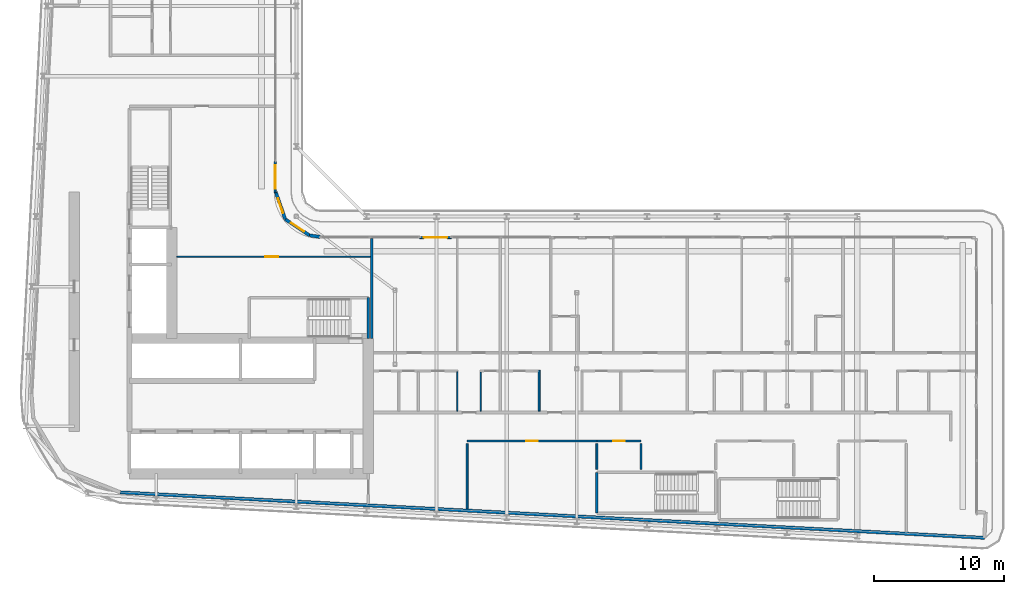
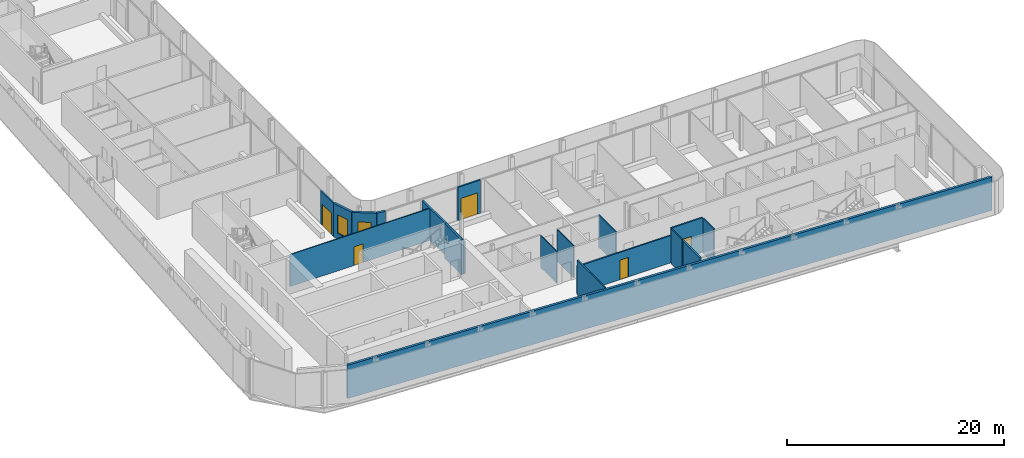
# One storey, part 16 of 29: 18 walls, 5 doors, 2 windows, 7 openings.
"""IFC4 building model written with IfcOpenShell, lengths in metres."""

from ifc_helpers import new_model, si_unit, direction, frame, frame_2d, origin, place, context, subcontext, project, spatial, rectangle, extrude, source, transform, mapped, material, layer, layer_set, type_object, element, fill, save


model = new_model("IFC4")

# Units and contexts
model_context = context("Model", 3, precision=1e-05, world=origin(), true_north=direction((0.0, 1.0)))
body_context = subcontext(model_context, "Body", "Model", "MODEL_VIEW")
ifc_project = project(units=[si_unit("LENGTHUNIT", "METRE"), si_unit("AREAUNIT", "SQUARE_METRE"), si_unit("VOLUMEUNIT", "CUBIC_METRE"), si_unit("PLANEANGLEUNIT", "RADIAN"), si_unit("MASSUNIT", "GRAM", prefix="KILO")], contexts=[model_context])

# Site, building, storey
site_placement = place(None, origin())
site = spatial("IfcSite", under=ifc_project, at=site_placement, CompositionType="ELEMENT")
building_placement = place(site_placement, origin())
building = spatial("IfcBuilding", under=site, at=building_placement, Name="Kheshtan School and Residences Tower", CompositionType="ELEMENT")
storey_placement = place(building_placement, frame((0.0, 0.0, 176.0)))
storey = spatial("IfcBuildingStorey", under=building, at=storey_placement, Name="L41", CompositionType="ELEMENT", Elevation=176.0)

# Wall, opening, window
ifc_material_1 = material(Name="Concrete C40/50 with ceramic cladding and mineral wool insulation", Category="concrete")
ifc_layer_1 = layer(ifc_material_1, 0.25)
ifc_layer_set_1 = layer_set([ifc_layer_1], Name="External wall 250 ceramic clad")
wall_type_1 = type_object("IfcWallType", Name="External wall 250 ceramic clad", PredefinedType="SOLIDWALL", material=ifc_layer_set_1)
wall_1_placement = place(storey_placement, frame((46.01806640625, 47.470947265625, 0.0), z_axis=(0.0, 0.0, 1.0), x_axis=(0.328791208903, -0.944402637093, 0.0)))
wall_1 = element("IfcWall", 1, at=wall_1_placement, inside=storey, type_object=wall_type_1, Name="External wall L41 9", PredefinedType="SOLIDWALL", context=body_context, shape_type="SweptSolid", body=[
    extrude(rectangle(XDim=2.20458984375, YDim=0.25, at=frame_2d((1.102294921875, 0.0))), origin(), (0.0, 0.0, 1.0), 3.75),
])
opening_1_placement = place(wall_1_placement, frame((0.5029296875, 0.0, 0.60009765625)))
opening_1 = element("IfcOpeningElement", 2, at=opening_1_placement, cuts=wall_1, Name="Opening WN-E", PredefinedType="OPENING", context=body_context, shape_type="SweptSolid", body=[
    extrude(rectangle(XDim=1.199951171875, YDim=2.10009765625, at=frame_2d((0.60009765625, 1.050048828125))), frame((0.0, 0.135009765625, 0.0), z_axis=(0.0, -1.0, 0.0), x_axis=(1.0, 0.0, 0.0)), (0.0, 0.0, 1.0), 0.27001953125),
])
ifc_material_2 = material(Name="Clear low-e glass in thermally broken aluminium frame", Category="aluminium")
window_type = type_object("IfcWindowType", Name="Window WN-E", PartitioningType="SINGLE_PANEL", PredefinedType="WINDOW", material=ifc_material_2)
shared_shape_1 = source(origin(), body_context, "Body", "SweptSolid", [
    extrude(rectangle(XDim=1.199951171875, YDim=2.10009765625, at=frame_2d((0.60009765625, 1.050048828125))), frame((0.0, 0.030029296875, 0.0), z_axis=(0.0, -1.0, 0.0), x_axis=(1.0, 0.0, 0.0)), (0.0, 0.0, 1.0), 0.06005859375),
])
window_1_placement = place(opening_1_placement, origin())
window_1 = element("IfcWindow", 3, at=window_1_placement, inside=storey, type_object=window_type, Name="Window L41 9", OverallHeight=2.10009765625, OverallWidth=1.199951171875, PartitioningType="SINGLE_PANEL", PredefinedType="WINDOW", context=body_context, shape_type="MappedRepresentation", body=[
    mapped(shared_shape_1, transform((0.0, 0.0, 0.0), x_axis=(1.0, 0.0, 0.0), y_axis=(0.0, 1.0, 0.0), z_axis=(0.0, 0.0, 1.0), scale=1.0)),
])
fill(opening_1, window_1)

wall_2_placement = place(storey_placement, frame((46.742919921875, 45.388916015625, 0.0), z_axis=(0.0, 0.0, 1.0), x_axis=(0.831449265529, -0.555600682912, 0.0)))
wall_2 = element("IfcWall", 4, at=wall_2_placement, inside=storey, type_object=wall_type_1, Name="External wall L41 10", PredefinedType="SOLIDWALL", context=body_context, shape_type="SweptSolid", body=[
    extrude(rectangle(XDim=2.25146484375, YDim=0.25, at=frame_2d((1.125732421875, 0.0))), origin(), (0.0, 0.0, 1.0), 3.75),
])
opening_2_placement = place(wall_2_placement, frame((0.52490234375, 0.0, 0.60009765625)))
opening_2 = element("IfcOpeningElement", 5, at=opening_2_placement, cuts=wall_2, Name="Opening WN-E", PredefinedType="OPENING", context=body_context, shape_type="SweptSolid", body=[
    extrude(rectangle(XDim=1.199951171875, YDim=2.10009765625, at=frame_2d((0.60009765625, 1.050048828125))), frame((0.0, 0.135009765625, 0.0), z_axis=(0.0, -1.0, 0.0), x_axis=(1.0, 0.0, 0.0)), (0.0, 0.0, 1.0), 0.27001953125),
])
window_2_placement = place(opening_2_placement, origin())
window_2 = element("IfcWindow", 6, at=window_2_placement, inside=storey, type_object=window_type, Name="Window L41 10", OverallHeight=2.10009765625, OverallWidth=1.199951171875, PartitioningType="SINGLE_PANEL", PredefinedType="WINDOW", context=body_context, shape_type="MappedRepresentation", body=[
    mapped(shared_shape_1, transform((0.0, 0.0, 0.0), x_axis=(1.0, 0.0, 0.0), y_axis=(0.0, 1.0, 0.0), z_axis=(0.0, 0.0, 1.0), scale=1.0)),
])
fill(opening_2, window_2)

# Walls
wall_3_placement = place(storey_placement, frame((48.614990234375, 44.137939453125, 0.0), z_axis=(0.0, 0.0, 1.0), x_axis=(0.990741504246, -0.135761819977, 0.0)))
element("IfcWall", 7, at=wall_3_placement, inside=storey, type_object=wall_type_1, Name="External wall L41 11", PredefinedType="SOLIDWALL", context=body_context, shape_type="SweptSolid", body=[
    extrude(rectangle(XDim=0.83984375, YDim=0.25, at=frame_2d((0.419921875, 0.0))), origin(), (0.0, 0.0, 1.0), 3.75),
])
wall_4_placement = place(storey_placement, frame((100.5859375, 20.85009765625, 0.0), z_axis=(0.0, 0.0, 1.0), x_axis=(-0.99861746497, 0.052565755559, 0.0)))
element("IfcWall", 8, at=wall_4_placement, inside=storey, type_object=wall_type_1, Name="External wall L41 16", PredefinedType="SOLIDWALL", context=body_context, shape_type="SweptSolid", body=[
    extrude(rectangle(XDim=66.638916015625, YDim=0.25, at=frame_2d((33.3193359375, 0.0))), origin(), (0.0, 0.0, 1.0), 3.75),
])

# Wall, opening, door
ifc_material_3 = material(Name="Aluminium frame wall with insulated infill", Category="aluminium")
ifc_layer_2 = layer(ifc_material_3, 0.14990234375)
ifc_layer_set_2 = layer_set([ifc_layer_2], Name="Glazing frame wall 150")
wall_type_2 = type_object("IfcWallType", Name="Glazing frame wall 150", PredefinedType="SOLIDWALL", material=ifc_layer_set_2)
wall_5_placement = place(storey_placement, frame((45.97509765625, 49.830078125, 0.0), z_axis=(0.0, 0.0, 1.0), x_axis=(0.0, -1.0, 0.0)))
wall_5 = element("IfcWall", 9, at=wall_5_placement, inside=storey, type_object=wall_type_2, Name="Balcony door wall L41 8.5", PredefinedType="SOLIDWALL", context=body_context, shape_type="SweptSolid", body=[
    extrude(rectangle(XDim=2.400146484375, YDim=0.14990234375, at=frame_2d((1.2001953125, 0.0))), origin(), (0.0, 0.0, 1.0), 3.75),
])
opening_3_placement = place(wall_5_placement, frame((0.300048828125, 0.0, 0.0)))
opening_3 = element("IfcOpeningElement", 10, at=opening_3_placement, cuts=wall_5, Name="Opening BD", PredefinedType="OPENING", context=body_context, shape_type="SweptSolid", body=[
    extrude(rectangle(XDim=1.800048828125, YDim=2.39990234375, at=frame_2d((0.89990234375, 1.199951171875))), frame((0.0, 0.0849609375, 0.0), z_axis=(0.0, -1.0, 0.0), x_axis=(1.0, 0.0, 0.0)), (0.0, 0.0, 1.0), 0.169921875),
])
door_type_1 = type_object("IfcDoorType", Name="Balcony sliding door", OperationType="SLIDING_TO_LEFT", PredefinedType="DOOR", material=ifc_material_2)
shared_shape_2 = source(origin(), body_context, "Body", "SweptSolid", [
    extrude(rectangle(XDim=1.800048828125, YDim=2.39990234375, at=frame_2d((0.89990234375, 1.199951171875))), frame((0.0, 0.02490234375, 0.0), z_axis=(0.0, -1.0, 0.0), x_axis=(1.0, 0.0, 0.0)), (0.0, 0.0, 1.0), 0.050048828125),
])
door_1_placement = place(opening_3_placement, origin())
door_1 = element("IfcDoor", 11, at=door_1_placement, inside=storey, type_object=door_type_1, Name="Balcony door L41 8.5", OperationType="SLIDING_TO_LEFT", OverallHeight=2.39990234375, OverallWidth=1.800048828125, PredefinedType="DOOR", context=body_context, shape_type="MappedRepresentation", body=[
    mapped(shared_shape_2, transform((0.0, 0.0, 0.0), x_axis=(1.0, 0.0, 0.0), y_axis=(0.0, 1.0, 0.0), z_axis=(0.0, 0.0, 1.0), scale=1.0)),
])
fill(opening_3, door_1)

wall_6_placement = place(storey_placement, frame((57.1240234375, 43.97509765625, 0.0), z_axis=(0.0, 0.0, 1.0), x_axis=(1.0, 0.0, 0.0)))
wall_6 = element("IfcWall", 12, at=wall_6_placement, inside=storey, type_object=wall_type_2, Name="Balcony door wall L41 12.1", PredefinedType="SOLIDWALL", context=body_context, shape_type="SweptSolid", body=[
    extrude(rectangle(XDim=2.39990234375, YDim=0.14990234375, at=frame_2d((1.199951171875, 0.0))), origin(), (0.0, 0.0, 1.0), 3.75),
])
opening_4_placement = place(wall_6_placement, frame((0.300048828125, 0.0, 0.0)))
opening_4 = element("IfcOpeningElement", 13, at=opening_4_placement, cuts=wall_6, Name="Opening BD", PredefinedType="OPENING", context=body_context, shape_type="SweptSolid", body=[
    extrude(rectangle(XDim=1.800048828125, YDim=2.39990234375, at=frame_2d((0.89990234375, 1.199951171875))), frame((0.0, 0.0849609375, 0.0), z_axis=(0.0, -1.0, 0.0), x_axis=(1.0, 0.0, 0.0)), (0.0, 0.0, 1.0), 0.169921875),
])
door_2_placement = place(opening_4_placement, origin())
door_2 = element("IfcDoor", 14, at=door_2_placement, inside=storey, type_object=door_type_1, Name="Balcony door L41 12.1", OperationType="SLIDING_TO_LEFT", OverallHeight=2.39990234375, OverallWidth=1.800048828125, PredefinedType="DOOR", context=body_context, shape_type="MappedRepresentation", body=[
    mapped(shared_shape_2, transform((0.0, 0.0, 0.0), x_axis=(1.0, 0.0, 0.0), y_axis=(0.0, 1.0, 0.0), z_axis=(0.0, 0.0, 1.0), scale=1.0)),
])
fill(opening_4, door_2)

ifc_material_4 = material(Name="Gypsum board on steel studs", Category="steel")
ifc_layer_3 = layer(ifc_material_4, 0.10009765625)
ifc_layer_set_3 = layer_set([ifc_layer_3], Name="Gypsum partition 100")
wall_type_3 = type_object("IfcWallType", Name="Gypsum partition 100", PredefinedType="PARTITIONING", material=ifc_layer_set_3)
wall_7_placement = place(storey_placement, frame((38.39892578125, 42.5, 0.0), z_axis=(0.0, 0.0, 1.0), x_axis=(1.0, 0.0, 0.0)))
wall_7 = element("IfcWall", 15, at=wall_7_placement, inside=storey, type_object=wall_type_3, Name="Partition L41-029", PredefinedType="PARTITIONING", context=body_context, shape_type="SweptSolid", body=[
    extrude(rectangle(XDim=14.901123046875, YDim=0.10009765625, at=frame_2d((7.45068359375, 0.0))), origin(), (0.0, 0.0, 1.0), 3.60009765625),
])
opening_5_placement = place(wall_7_placement, frame((6.801025390625, 0.0, 0.0)))
opening_5 = element("IfcOpeningElement", 16, at=opening_5_placement, cuts=wall_7, Name="Opening D41-049", PredefinedType="OPENING", context=body_context, shape_type="SweptSolid", body=[
    extrude(rectangle(XDim=1.0, YDim=2.10009765625, at=frame_2d((0.5, 1.050048828125))), frame((0.0, 0.06005859375, 0.0), z_axis=(0.0, -1.0, 0.0), x_axis=(1.0, 0.0, 0.0)), (0.0, 0.0, 1.0), 0.1201171875),
])
ifc_material_5 = material(Name="Veneered timber door leaf", Category="wood")
door_type_2 = type_object("IfcDoorType", Name="Door 1000 x 2100", OperationType="SINGLE_SWING_LEFT", PredefinedType="DOOR", material=ifc_material_5)
shared_shape_3 = source(origin(), body_context, "Body", "SweptSolid", [
    extrude(rectangle(XDim=1.0, YDim=2.10009765625, at=frame_2d((0.5, 1.050048828125))), frame((0.0, 0.02490234375, 0.0), z_axis=(0.0, -1.0, 0.0), x_axis=(1.0, 0.0, 0.0)), (0.0, 0.0, 1.0), 0.050048828125),
])
door_3_placement = place(opening_5_placement, origin())
door_3 = element("IfcDoor", 17, at=door_3_placement, inside=storey, type_object=door_type_2, Name="Door D41-049", OperationType="SINGLE_SWING_LEFT", OverallHeight=2.10009765625, OverallWidth=1.0, PredefinedType="DOOR", context=body_context, shape_type="MappedRepresentation", body=[
    mapped(shared_shape_3, transform((0.0, 0.0, 0.0), x_axis=(1.0, 0.0, 0.0), y_axis=(0.0, 1.0, 0.0), z_axis=(0.0, 0.0, 1.0), scale=1.0)),
])
fill(opening_5, door_3)

# Walls
for number, where, z_axis, x_axis, name in (
    (18, (60.0, 30.60009765625, 0.0), (0.0, 0.0, 1.0), (0.0, 1.0, 0.0), "Partition L41-037"),
    (19, (61.800048828125, 30.60009765625, 0.0), (0.0, 0.0, 1.0), (0.0, 1.0, 0.0), "Partition L41-040"),
):
    element("IfcWall", number, at=place(storey_placement, frame(where, z_axis=z_axis, x_axis=x_axis)), inside=storey, type_object=wall_type_3, Name=name, PredefinedType="PARTITIONING", context=body_context, shape_type="SweptSolid", body=[
        extrude(rectangle(XDim=3.02490234375, YDim=0.10009765625, at=frame_2d((1.512451171875, 0.0))), origin(), (0.0, 0.0, 1.0), 3.60009765625),
    ])

# Wall, opening, door
ifc_material_6 = material(Name="Fire-board shaft wall system")
ifc_layer_4 = layer(ifc_material_6, 0.14990234375)
ifc_layer_set_4 = layer_set([ifc_layer_4], Name="Service room wall 150")
wall_type_4 = type_object("IfcWallType", Name="Service room wall 150", PredefinedType="PARTITIONING", material=ifc_layer_set_4)
wall_8_placement = place(storey_placement, frame((60.75, 28.300048828125, 0.0), z_axis=(0.0, 0.0, 1.0), x_axis=(1.0, 0.0, 0.0)))
wall_8 = element("IfcWall", 20, at=wall_8_placement, inside=storey, type_object=wall_type_4, Name="Service room wall", PredefinedType="PARTITIONING", context=body_context, shape_type="SweptSolid", body=[
    extrude(rectangle(XDim=10.0, YDim=0.14990234375, at=frame_2d((5.0, 0.0))), origin(), (0.0, 0.0, 1.0), 3.072021484375),
])
opening_6_placement = place(wall_8_placement, frame((4.550048828125, 0.0, 0.0)))
opening_6 = element("IfcOpeningElement", 21, at=opening_6_placement, cuts=wall_8, Name="Opening SR90", PredefinedType="OPENING", context=body_context, shape_type="SweptSolid", body=[
    extrude(rectangle(XDim=0.89990234375, YDim=2.199951171875, at=frame_2d((0.449951171875, 1.10009765625))), frame((0.0, 0.0849609375, 0.0), z_axis=(0.0, -1.0, 0.0), x_axis=(1.0, 0.0, 0.0)), (0.0, 0.0, 1.0), 0.169921875),
])
ifc_material_7 = material(Name="Steel door leaf, galvanised", Category="steel")
door_type_3 = type_object("IfcDoorType", Name="Service room door 900 steel 90 min", OperationType="SINGLE_SWING_LEFT", PredefinedType="DOOR", material=ifc_material_7)
shared_shape_4 = source(origin(), body_context, "Body", "SweptSolid", [
    extrude(rectangle(XDim=0.89990234375, YDim=2.199951171875, at=frame_2d((0.449951171875, 1.10009765625))), frame((0.0, 0.02490234375, 0.0), z_axis=(0.0, -1.0, 0.0), x_axis=(1.0, 0.0, 0.0)), (0.0, 0.0, 1.0), 0.050048828125),
])
door_4_placement = place(opening_6_placement, origin())
door_4 = element("IfcDoor", 22, at=door_4_placement, inside=storey, type_object=door_type_3, Name="Service room door", OperationType="SINGLE_SWING_LEFT", OverallHeight=2.199951171875, OverallWidth=0.89990234375, PredefinedType="DOOR", context=body_context, shape_type="MappedRepresentation", body=[
    mapped(shared_shape_4, transform((0.0, 0.0, 0.0), x_axis=(1.0, 0.0, 0.0), y_axis=(0.0, 1.0, 0.0), z_axis=(0.0, 0.0, 1.0), scale=1.0)),
])
fill(opening_6, door_4)

# Walls
wall_9_placement = place(storey_placement, frame((60.75, 23.074951171875, 0.0), z_axis=(0.0, 0.0, 1.0), x_axis=(0.0, 1.0, 0.0)))
element("IfcWall", 23, at=wall_9_placement, inside=storey, type_object=wall_type_4, Name="Service room wall", PredefinedType="PARTITIONING", context=body_context, shape_type="SweptSolid", body=[
    extrude(rectangle(XDim=5.030029296875, YDim=0.14990234375, at=frame_2d((2.51513671875, 0.0))), origin(), (0.0, 0.0, 1.0), 3.89990234375),
])
wall_10_placement = place(storey_placement, frame((70.75, 26.1201171875, 0.0), z_axis=(0.0, 0.0, 1.0), x_axis=(0.0, 1.0, 0.0)))
element("IfcWall", 24, at=wall_10_placement, inside=storey, type_object=wall_type_4, Name="Service room wall", PredefinedType="PARTITIONING", context=body_context, shape_type="SweptSolid", body=[
    extrude(rectangle(XDim=1.98486328125, YDim=0.14990234375, at=frame_2d((0.992431640625, 0.0))), origin(), (0.0, 0.0, 1.0), 3.89990234375),
])

# Wall, opening, door
wall_11_placement = place(storey_placement, frame((70.75, 28.300048828125, 0.0), z_axis=(0.0, 0.0, 1.0), x_axis=(1.0, 0.0, 0.0)))
wall_11 = element("IfcWall", 25, at=wall_11_placement, inside=storey, type_object=wall_type_4, Name="Service room wall", PredefinedType="PARTITIONING", context=body_context, shape_type="SweptSolid", body=[
    extrude(rectangle(XDim=3.39404296875, YDim=0.14990234375, at=frame_2d((1.697021484375, 0.0))), origin(), (0.0, 0.0, 1.0), 3.89990234375),
])
opening_7_placement = place(wall_11_placement, frame((1.2470703125, 0.0, 0.0)))
opening_7 = element("IfcOpeningElement", 26, at=opening_7_placement, cuts=wall_11, Name="Opening SR90", PredefinedType="OPENING", context=body_context, shape_type="SweptSolid", body=[
    extrude(rectangle(XDim=0.89990234375, YDim=2.199951171875, at=frame_2d((0.449951171875, 1.10009765625))), frame((0.0, 0.0849609375, 0.0), z_axis=(0.0, -1.0, 0.0), x_axis=(1.0, 0.0, 0.0)), (0.0, 0.0, 1.0), 0.169921875),
])
door_5_placement = place(opening_7_placement, origin())
door_5 = element("IfcDoor", 27, at=door_5_placement, inside=storey, type_object=door_type_3, Name="Service room door", OperationType="SINGLE_SWING_LEFT", OverallHeight=2.199951171875, OverallWidth=0.89990234375, PredefinedType="DOOR", context=body_context, shape_type="MappedRepresentation", body=[
    mapped(shared_shape_4, transform((0.0, 0.0, 0.0), x_axis=(1.0, 0.0, 0.0), y_axis=(0.0, 1.0, 0.0), z_axis=(0.0, 0.0, 1.0), scale=1.0)),
])
fill(opening_7, door_5)

# Walls
wall_12_placement = place(storey_placement, frame((74.14404296875, 26.1201171875, 0.0), z_axis=(0.0, 0.0, 1.0), x_axis=(0.0, 1.0, 0.0)))
element("IfcWall", 28, at=wall_12_placement, inside=storey, type_object=wall_type_4, Name="Service room wall", PredefinedType="PARTITIONING", context=body_context, shape_type="SweptSolid", body=[
    extrude(rectangle(XDim=1.98486328125, YDim=0.14990234375, at=frame_2d((0.992431640625, 0.0))), origin(), (0.0, 0.0, 1.0), 3.89990234375),
])
ifc_material_8 = material(Name="Concrete C40/50", Category="concrete")
ifc_layer_5 = layer(ifc_material_8, 0.199951171875)
ifc_layer_set_5 = layer_set([ifc_layer_5], Name="Stair enclosure wall 200 Concrete C40/50")
wall_type_5 = type_object("IfcWallType", Name="Stair enclosure wall 200 Concrete C40/50", PredefinedType="SHEAR", material=ifc_layer_set_5)
wall_13_placement = place(storey_placement, frame((53.14990234375, 36.199951171875, 0.0), z_axis=(0.0, 0.0, 1.0), x_axis=(0.0, 1.0, 0.0)))
element("IfcWall", 29, at=wall_13_placement, inside=storey, type_object=wall_type_5, Name="Stair enclosure wall ST1", PredefinedType="SHEAR", context=body_context, shape_type="SweptSolid", body=[
    extrude(rectangle(XDim=3.150146484375, YDim=0.199951171875, at=frame_2d((1.5751953125, 0.0))), origin(), (0.0, 0.0, 1.0), 3.89990234375),
])
wall_14_placement = place(storey_placement, frame((70.75, 22.75, 0.0), z_axis=(0.0, 0.0, 1.0), x_axis=(0.0, 1.0, 0.0)))
element("IfcWall", 30, at=wall_14_placement, inside=storey, type_object=wall_type_5, Name="Stair enclosure wall ST5", PredefinedType="SHEAR", context=body_context, shape_type="SweptSolid", body=[
    extrude(rectangle(XDim=3.14990234375, YDim=0.199951171875, at=frame_2d((1.574951171875, 0.0))), origin(), (0.0, 0.0, 1.0), 3.89990234375),
])
ifc_material_9 = material(Name="Twin gypsum board on steel studs with mineral wool", Category="steel")
ifc_layer_6 = layer(ifc_material_9, 0.199951171875)
ifc_layer_set_6 = layer_set([ifc_layer_6], Name="Unit demising wall 200")
wall_type_6 = type_object("IfcWallType", Name="Unit demising wall 200", PredefinedType="PARTITIONING", material=ifc_layer_set_6)
wall_15_placement = place(storey_placement, frame((53.39990234375, 36.198974609375, 0.0), z_axis=(0.0, 0.0, 1.0), x_axis=(0.0, 1.0, 0.0)))
element("IfcWall", 31, at=wall_15_placement, inside=storey, type_object=wall_type_6, Name="Partition L41-031", PredefinedType="PARTITIONING", context=body_context, shape_type="SweptSolid", body=[
    extrude(rectangle(XDim=7.700927734375, YDim=0.199951171875, at=frame_2d((3.8505859375, 0.0))), origin(), (0.0, 0.0, 1.0), 3.60009765625),
])
ifc_material_10 = material(Name="Moisture-resistant gypsum board on steel studs", Category="steel")
ifc_layer_7 = layer(ifc_material_10, 0.14990234375)
ifc_layer_set_7 = layer_set([ifc_layer_7], Name="Wet-room partition 150")
wall_type_7 = type_object("IfcWallType", Name="Wet-room partition 150", PredefinedType="PARTITIONING", material=ifc_layer_set_7)
wall_16_placement = place(storey_placement, frame((66.300048828125, 30.60009765625, 0.0), z_axis=(0.0, 0.0, 1.0), x_axis=(0.0, 1.0, 0.0)))
element("IfcWall", 32, at=wall_16_placement, inside=storey, type_object=wall_type_7, Name="Partition L41-044", PredefinedType="PARTITIONING", context=body_context, shape_type="SweptSolid", body=[
    extrude(rectangle(XDim=3.1748046875, YDim=0.14990234375, at=frame_2d((1.58740234375, 0.0))), origin(), (0.0, 0.0, 1.0), 3.60009765625),
])

save(model, "model.ifc")
